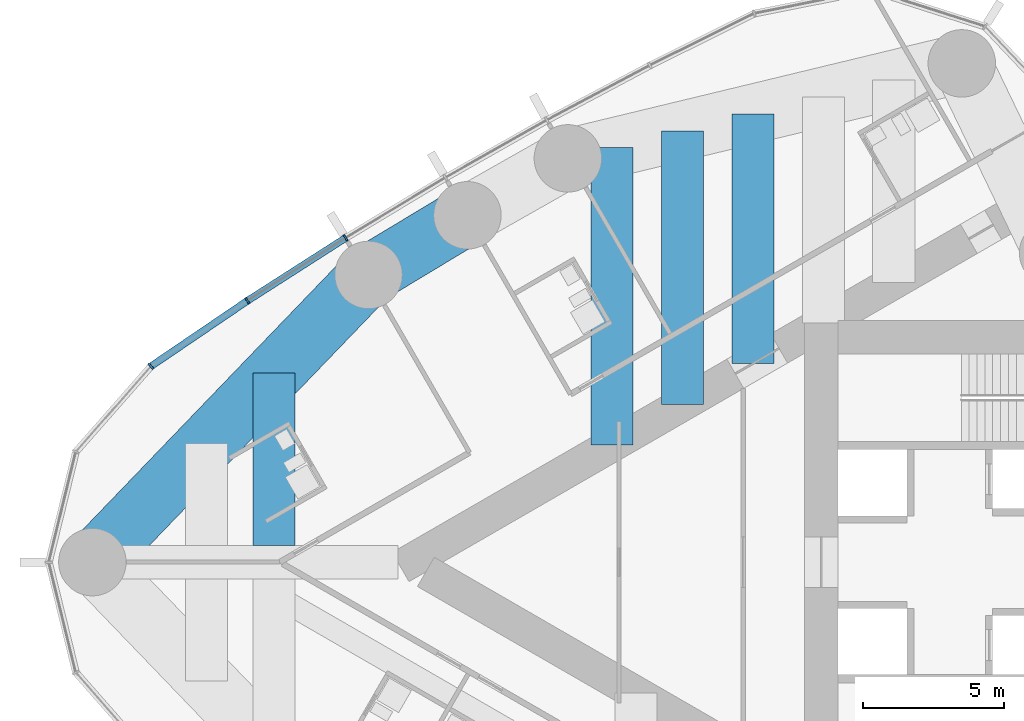
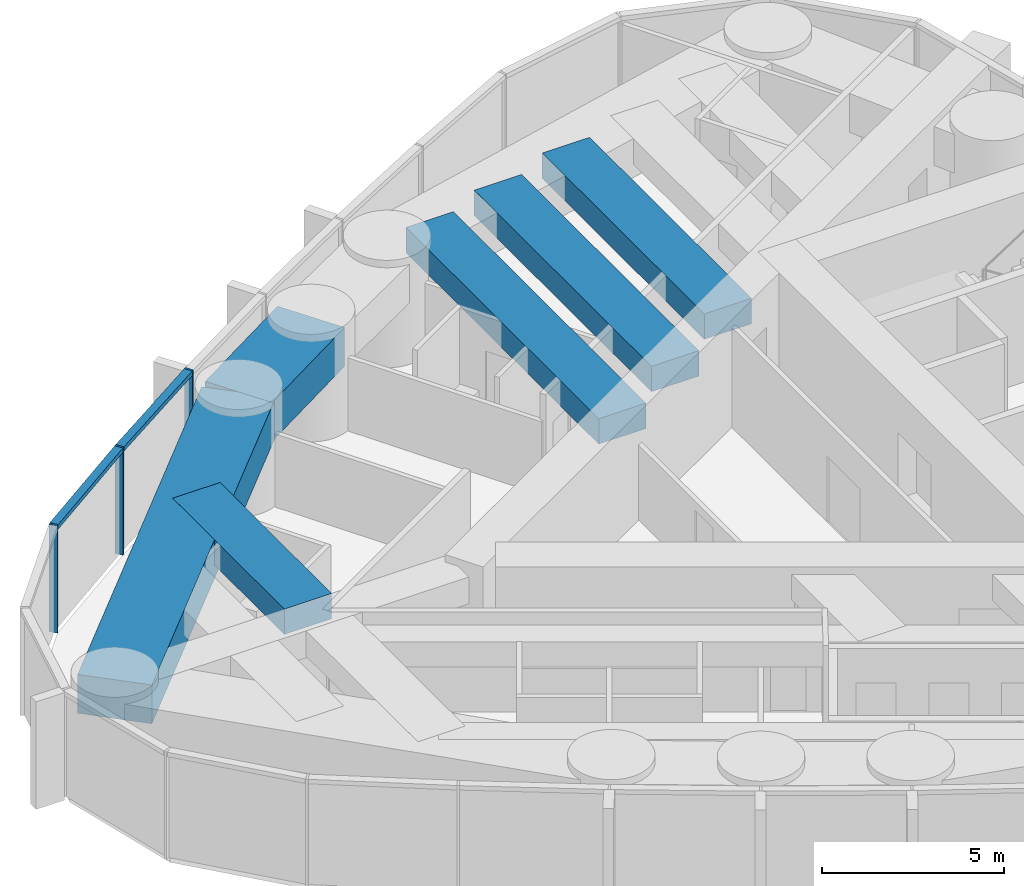
# One storey, part 3 of 22: 6 beams, 5 members, 1 element without a shape of its own.
"""IFC4 building model written with IfcOpenShell, lengths in metres."""

from ifc_helpers import new_model, si_unit, direction, frame, origin, origin_2d, place, context, subcontext, project, spatial, rectangle, extrude, material, material_profile, profile_set, type_object, element, aggregate, save


model = new_model("IFC4")

# Units and contexts
model_context = context("Model", 3, precision=1e-05, world=origin(), true_north=direction((0.0, 1.0)))
body_context = subcontext(model_context, "Body", "Model", "MODEL_VIEW")
ifc_project = project(units=[si_unit("LENGTHUNIT", "METRE"), si_unit("AREAUNIT", "SQUARE_METRE"), si_unit("VOLUMEUNIT", "CUBIC_METRE"), si_unit("PLANEANGLEUNIT", "RADIAN"), si_unit("MASSUNIT", "GRAM", prefix="KILO")], contexts=[model_context])

# Site, building, storey
site_placement = place(None, origin())
site = spatial("IfcSite", under=ifc_project, at=site_placement, CompositionType="ELEMENT")
building_placement = place(site_placement, origin())
building = spatial("IfcBuilding", under=site, at=building_placement, Name="Lancet Gate Hotel", CompositionType="ELEMENT")
storey_placement = place(building_placement, frame((0.0, 0.0, 229.699951171875)))
storey = spatial("IfcBuildingStorey", under=building, at=storey_placement, Name="L61", CompositionType="ELEMENT", Elevation=229.699951171875)

# Curtain wall, members
ifc_material_1 = material(Name="Aluminium curtain wall", Category="aluminium")
curtain_wall_type = type_object("IfcCurtainWallType", Name="Tower unitised curtain wall", PredefinedType="USERDEFINED", material=ifc_material_1)
curtain_wall_placement = place(storey_placement, origin())
curtain_wall = element("IfcCurtainWall", 1, at=curtain_wall_placement, inside=storey, type_object=curtain_wall_type, Name="T1 L61 curtain wall 1", ObjectType="UNITISED CURTAIN WALL", PredefinedType="USERDEFINED")
ifc_material_2 = material(Name="Aluminium mullion", Category="aluminium")
ifc_material_profile_1 = material_profile(ifc_material_2, rectangle(XDim=0.06494140625, YDim=0.25, at=origin_2d()), Name="MULLION 65x250")
ifc_profile_set_1 = profile_set([ifc_material_profile_1], Name="Aluminium mullion")
member_type_1 = type_object("IfcMemberType", Name="Aluminium mullion 65x250", PredefinedType="MULLION", material=ifc_profile_set_1)
member_1_placement = place(storey_placement, frame((-54.225830078125, 11.535400390625, 0.0), z_axis=(0.0, 0.0, 1.0), x_axis=(-0.849342388216, -0.527842313176, 0.0)))
member_1 = element("IfcMember", 2, at=member_1_placement, type_object=member_type_1, Name="T1 L61 curtain wall 1 mullion 9", PredefinedType="MULLION", context=body_context, shape_type="SweptSolid", body=[
    extrude(rectangle(XDim=0.06494140625, YDim=0.25, at=origin_2d()), origin(), (0.0, 0.0, 1.0), 3.60009765625),
])
member_2_placement = place(storey_placement, frame((-57.72021484375, 9.298095703125, 0.0), z_axis=(0.0, 0.0, 1.0), x_axis=(-0.834827178542, -0.550512108829, 0.0)))
member_2 = element("IfcMember", 3, at=member_2_placement, type_object=member_type_1, Name="T1 L61 curtain wall 1 mullion 10", PredefinedType="MULLION", context=body_context, shape_type="SweptSolid", body=[
    extrude(rectangle(XDim=0.06494140625, YDim=0.25, at=origin_2d()), origin(), (0.0, 0.0, 1.0), 3.60009765625),
])
member_3_placement = place(storey_placement, frame((-61.15283203125, 6.967529296875, 0.0), z_axis=(0.0, 0.0, 1.0), x_axis=(-0.750715604757, -0.660625522345, 0.0)))
member_3 = element("IfcMember", 4, at=member_3_placement, type_object=member_type_1, Name="T1 L61 curtain wall 1 mullion 11", PredefinedType="MULLION", context=body_context, shape_type="SweptSolid", body=[
    extrude(rectangle(XDim=0.06494140625, YDim=0.25, at=origin_2d()), origin(), (0.0, 0.0, 1.0), 3.60009765625),
])
ifc_material_3 = material(Name="Aluminium transom", Category="aluminium")
ifc_material_profile_2 = material_profile(ifc_material_3, rectangle(XDim=0.25, YDim=0.14990234375, at=origin_2d()), Name="TRANSOM 250x150")
ifc_profile_set_2 = profile_set([ifc_material_profile_2], Name="Aluminium transom")
member_type_2 = type_object("IfcMemberType", Name="Aluminium transom 250x150", PredefinedType="USERDEFINED", material=ifc_profile_set_2)
member_4_placement = place(storey_placement, frame((-54.253173828125, 11.51806640625, 3.525146484375), z_axis=(-0.842144358733, -0.539252147937, 0.0), x_axis=(0.539252147937, -0.842144358733, 0.0)))
member_4 = element("IfcMember", 5, at=member_4_placement, type_object=member_type_2, Name="T1 L61 curtain wall 1 transom 9", ObjectType="TRANSOM", PredefinedType="USERDEFINED", context=body_context, shape_type="SweptSolid", body=[
    extrude(rectangle(XDim=0.25, YDim=0.14990234375, at=origin_2d()), origin(), (0.0, 0.0, 1.0), 4.084228515625),
])
member_5_placement = place(storey_placement, frame((-57.7470703125, 9.27978515625, 3.525146484375), z_axis=(-0.827348780456, -0.561688521761, 0.0), x_axis=(0.561688521761, -0.827348780456, 0.0)))
member_5 = element("IfcMember", 6, at=member_5_placement, type_object=member_type_2, Name="T1 L61 curtain wall 1 transom 10", ObjectType="TRANSOM", PredefinedType="USERDEFINED", context=body_context, shape_type="SweptSolid", body=[
    extrude(rectangle(XDim=0.25, YDim=0.14990234375, at=origin_2d()), origin(), (0.0, 0.0, 1.0), 4.083984375),
])
aggregate(curtain_wall, [member_1, member_2, member_3, member_4, member_5])

# Beams
ifc_material_4 = material(Name="Concrete C50/60", Category="concrete")
ifc_material_profile_3 = material_profile(ifc_material_4, rectangle(XDim=2.10009765625, YDim=1.300048828125, at=origin_2d()), Name="RC 2100x1300")
ifc_profile_set_3 = profile_set([ifc_material_profile_3], Name="Concrete C50/60")
beam_type_1 = type_object("IfcBeamType", Name="Edge beam RC 2100x1300", PredefinedType="SPANDREL", material=ifc_profile_set_3)
beam_1_placement = place(storey_placement, frame((-49.89013671875, 12.340087890625, 2.699951171875), z_axis=(-0.856358061538, -0.516382484636, 0.0), x_axis=(0.516382484636, -0.856358061538, 0.0)))
element("IfcBeam", 7, at=beam_1_placement, inside=storey, type_object=beam_type_1, Name="T1 edge beam EB1 L61", PredefinedType="SPANDREL", context=body_context, shape_type="SweptSolid", body=[
    extrude(rectangle(XDim=2.10009765625, YDim=1.300048828125, at=origin_2d()), origin(), (0.0, 0.0, 1.0), 4.107666015625),
])
beam_2_placement = place(storey_placement, frame((-53.40771484375, 10.218994140625, 2.699951171875), z_axis=(-0.693134527053, -0.720808245934, 0.0), x_axis=(0.720808245934, -0.693134527053, 0.0)))
element("IfcBeam", 8, at=beam_2_placement, inside=storey, type_object=beam_type_1, Name="T1 edge beam EB1 L61", PredefinedType="SPANDREL", context=body_context, shape_type="SweptSolid", body=[
    extrude(rectangle(XDim=2.10009765625, YDim=1.300048828125, at=origin_2d()), origin(), (0.0, 0.0, 1.0), 14.17724609375),
])
ifc_material_5 = material(Name="Concrete C50/60", Category="concrete")
ifc_material_profile_4 = material_profile(ifc_material_5, rectangle(XDim=1.5, YDim=0.85009765625, at=origin_2d()), Name="RC 1500x850")
ifc_profile_set_4 = profile_set([ifc_material_profile_4], Name="Concrete C50/60")
beam_type_2 = type_object("IfcBeamType", Name="Floor beam RC 1500x850", PredefinedType="BEAM", material=ifc_profile_set_4)
beam_3_placement = place(storey_placement, frame((-39.734130859375, 15.952880859375, 2.925048828125), z_axis=(0.0, -1.0, 0.0), x_axis=(1.0, 0.0, 0.0)))
element("IfcBeam", 9, at=beam_3_placement, inside=storey, type_object=beam_type_2, Name="T1 floor beam F05S L61", PredefinedType="BEAM", context=body_context, shape_type="SweptSolid", body=[
    extrude(rectangle(XDim=1.5, YDim=0.85009765625, at=origin_2d()), origin(), (0.0, 0.0, 1.0), 8.889404296875),
])
beam_4_placement = place(storey_placement, frame((-42.240966796875, 15.348388671875, 2.925048828125), z_axis=(0.0, -1.0, 0.0), x_axis=(1.0, 0.0, 0.0)))
element("IfcBeam", 10, at=beam_4_placement, inside=storey, type_object=beam_type_2, Name="T1 floor beam F06S L61", PredefinedType="BEAM", context=body_context, shape_type="SweptSolid", body=[
    extrude(rectangle(XDim=1.5, YDim=0.85009765625, at=origin_2d()), origin(), (0.0, 0.0, 1.0), 9.732421875),
])
beam_5_placement = place(storey_placement, frame((-44.747802734375, 14.743896484375, 2.925048828125), z_axis=(0.0, -1.0, 0.0), x_axis=(1.0, 0.0, 0.0)))
element("IfcBeam", 11, at=beam_5_placement, inside=storey, type_object=beam_type_2, Name="T1 floor beam F08S L61", PredefinedType="BEAM", context=body_context, shape_type="SweptSolid", body=[
    extrude(rectangle(XDim=1.5, YDim=0.85009765625, at=origin_2d()), origin(), (0.0, 0.0, 1.0), 10.5751953125),
])
beam_6_placement = place(storey_placement, frame((-56.768310546875, 6.72412109375, 2.925048828125), z_axis=(0.0, -1.0, 0.0), x_axis=(1.0, 0.0, 0.0)))
element("IfcBeam", 12, at=beam_6_placement, inside=storey, type_object=beam_type_2, Name="T1 floor beam F09S L61", PredefinedType="BEAM", context=body_context, shape_type="SweptSolid", body=[
    extrude(rectangle(XDim=1.5, YDim=0.85009765625, at=origin_2d()), origin(), (0.0, 0.0, 1.0), 6.1240234375),
])

save(model, "model.ifc")
